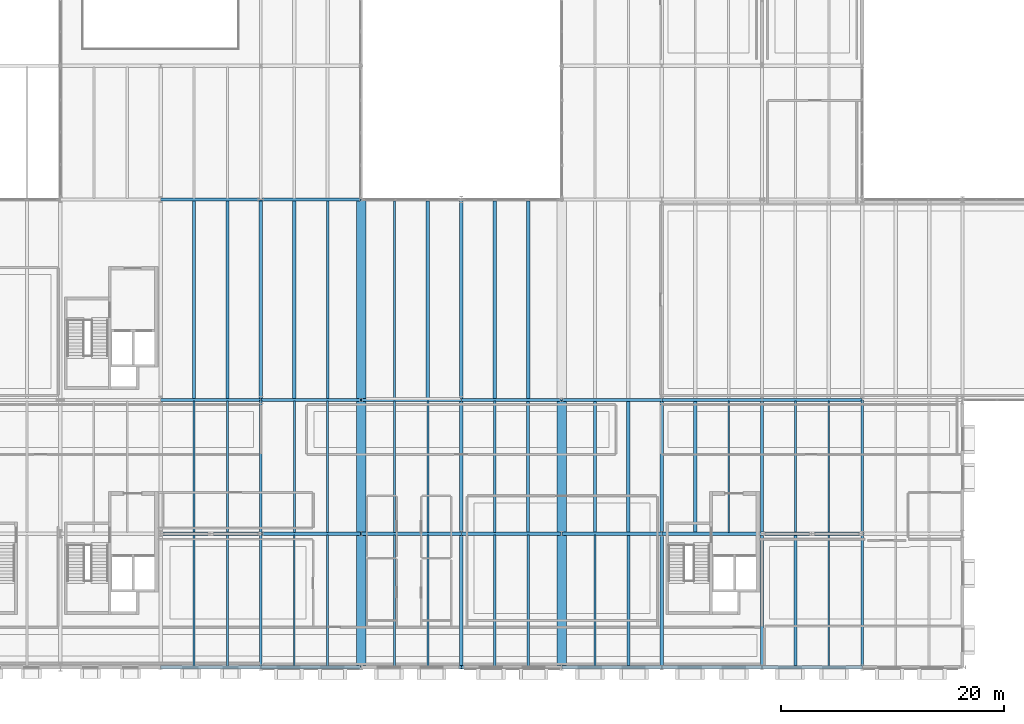
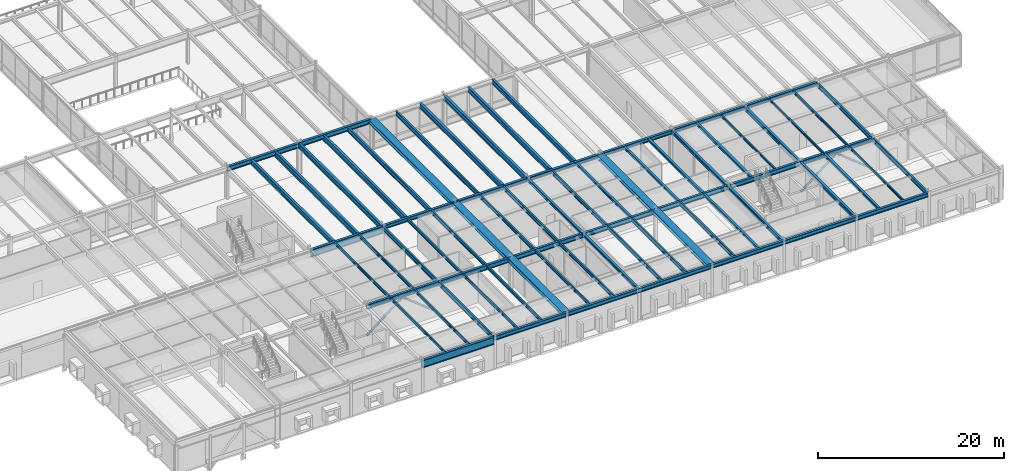
# One storey, part 34 of 127: 74 beams, 4 members.
"""IFC4 building model written with IfcOpenShell, lengths in metres."""

import ifcopenshell
import ifcopenshell.guid

model = None  # the IFC model being written
_history = None  # IfcOwnerHistory: only IFC2X3 demands one
_inside = {}  # id of a spatial element -> (the spatial element, [elements in it])
_under = {}  # id of a project, library or spatial element -> (it, [spatial elements below it])
_declared = {}  # id of a project -> (the project, [libraries it declares])
_typed = {}  # id of a type object -> (the type object, [elements of that type])
_made_of = {}  # id of a material, layer set ... -> (it, [elements and type objects made of it])


def new_model(schema):
    """Start an empty IFC model of exactly this schema.

    Asked for "IFC4X3", IfcOpenShell would pick the latest addendum, in which some entities
    have other attributes; the version numbers below select the first issue.
    IFC2X3 requires an IfcOwnerHistory on every rooted entity: one is made here for all.
    """
    global model, _history
    if schema == "IFC4X3":
        model = ifcopenshell.file(schema_version=(4, 3, 0, 0))
    else:
        model = ifcopenshell.file(schema=schema)
    _inside.clear()
    _under.clear()
    _declared.clear()
    _typed.clear()
    _made_of.clear()
    _history = None
    if model.schema == "IFC2X3":
        org = make("IfcOrganization", Name="unknown")
        user = make(
            "IfcPersonAndOrganization",
            ThePerson=make("IfcPerson", FamilyName="unknown"),
            TheOrganization=org,
        )
        app = make(
            "IfcApplication",
            ApplicationDeveloper=org,
            Version="unknown",
            ApplicationFullName="unknown",
            ApplicationIdentifier="unknown",
        )
        _history = make(
            "IfcOwnerHistory",
            OwningUser=user,
            OwningApplication=app,
            ChangeAction="ADDED",
            CreationDate=0,
        )
    return model


def make(cls, **values):
    """One entity of the class cls with the attributes given. An attribute that is None is left unset."""
    return model.create_entity(
        cls, **{name: value for name, value in values.items() if value is not None}
    )


def rooted(cls, **values):
    """An entity with a GlobalId (a new one), such as an element, a storey or a relation."""
    return make(cls, GlobalId=ifcopenshell.guid.new(), OwnerHistory=_history, **values)


def si_unit(unit_type, name, prefix=None):
    """IfcSIUnit, for example si_unit("LENGTHUNIT", "METRE", prefix="MILLI")."""
    return make("IfcSIUnit", UnitType=unit_type, Prefix=prefix, Name=name)


def assignment(units):
    """IfcUnitAssignment: the units of a project."""
    return None if units is None else make("IfcUnitAssignment", Units=units)


def point(xyz):
    """IfcCartesianPoint."""
    return None if xyz is None else make("IfcCartesianPoint", Coordinates=xyz)


def direction(xyz):
    """IfcDirection."""
    return None if xyz is None else make("IfcDirection", DirectionRatios=xyz)


def frame(location, z_axis=None, x_axis=None):
    """IfcAxis2Placement3D, a coordinate frame: its origin and axes. An axis left out is left unset."""
    return make(
        "IfcAxis2Placement3D",
        Location=point(location),
        Axis=direction(z_axis),
        RefDirection=direction(x_axis),
    )


def frame_2d(location, x_axis=None):
    """IfcAxis2Placement2D, a coordinate frame in the plane: its origin and x axis."""
    return make(
        "IfcAxis2Placement2D", Location=point(location), RefDirection=direction(x_axis)
    )


def origin():
    """The frame at (0, 0, 0) with its axes left unset."""
    return frame((0.0, 0.0, 0.0))


def origin_2d():
    """The frame at (0, 0) in the plane with its x axis left unset."""
    return frame_2d((0.0, 0.0))


def place(relative_to, where):
    """IfcLocalPlacement: puts the frame where relative to a parent placement (None: the world)."""
    return make(
        "IfcLocalPlacement", PlacementRelTo=relative_to, RelativePlacement=where
    )


def context(
    kind, dimensions, precision=None, world=None, true_north=None, identifier=None
):
    """IfcGeometricRepresentationContext, for example the 3D "Model" context."""
    return make(
        "IfcGeometricRepresentationContext",
        ContextIdentifier=identifier,
        ContextType=kind,
        CoordinateSpaceDimension=dimensions,
        Precision=precision,
        WorldCoordinateSystem=world,
        TrueNorth=true_north,
    )


def subcontext(parent, identifier, kind, view, scale=None):
    """IfcGeometricRepresentationSubContext, for example "Body" below "Model"."""
    return make(
        "IfcGeometricRepresentationSubContext",
        ContextIdentifier=identifier,
        ContextType=kind,
        ParentContext=parent,
        TargetScale=scale,
        TargetView=view,
    )


def project(units=None, contexts=None):
    """IfcProject with its units and contexts."""
    return rooted(
        "IfcProject",
        Name="project",
        RepresentationContexts=contexts,
        UnitsInContext=assignment(units),
    )


def spatial(cls, under=None, at=None, **own):
    """A site, building, storey or space (cls), placed at a placement, below another one or the project."""
    s = rooted(cls, ObjectPlacement=at, **own)
    if under is not None:
        _under.setdefault(under.id(), (under, []))[1].append(s)
    return s


def profile(cls, at=None, kind="AREA", **sizes):
    """A parametric profile (cls). Its sizes go by their IFC names, for example OverallWidth=200.0."""
    return make(cls, ProfileType=kind, Position=at, **sizes)


def hollow_circle(**sizes):
    """IfcCircleHollowProfileDef."""
    return profile("IfcCircleHollowProfileDef", **sizes)


def i_section(**sizes):
    """IfcIShapeProfileDef."""
    return profile("IfcIShapeProfileDef", **sizes)


def extrude(swept, where, along, depth):
    """IfcExtrudedAreaSolid: the profile swept, set in the frame where, extruded along a direction by depth."""
    return make(
        "IfcExtrudedAreaSolid",
        SweptArea=swept,
        Position=where,
        ExtrudedDirection=direction(along),
        Depth=depth,
    )


def shape(context_of_items, identifier, shape_type, items):
    """IfcShapeRepresentation: the items that make up one representation, for example the "Body"."""
    return make(
        "IfcShapeRepresentation",
        ContextOfItems=context_of_items,
        RepresentationIdentifier=identifier,
        RepresentationType=shape_type,
        Items=items,
    )


def material(Name=None, Category=None):
    """IfcMaterial."""
    return make("IfcMaterial", Name=Name, Category=Category)


def material_profile(
    of_material, cross_section, Name=None, Category=None, Priority=None
):
    """IfcMaterialProfile: a cross section and its material."""
    return make(
        "IfcMaterialProfile",
        Name=Name,
        Material=of_material,
        Profile=cross_section,
        Priority=Priority,
        Category=Category,
    )


def profile_set(profiles, Name=None, composite=None):
    """IfcMaterialProfileSet."""
    return make(
        "IfcMaterialProfileSet",
        Name=Name,
        MaterialProfiles=profiles,
        CompositeProfile=composite,
    )


def made_of(thing, what):
    """Note that an element or type object is made of a material, layer set ...; save() writes the relation."""
    if what is not None:
        _made_of.setdefault(what.id(), (what, []))[1].append(thing)
    return thing


def type_object(cls, material=None, **own):
    """A type object (cls), such as IfcWallType, which elements share."""
    return made_of(rooted(cls, **own), material)


def element(
    cls,
    number,
    at=None,
    inside=None,
    cuts=None,
    type_object=None,
    material=None,
    context=None,
    identifier="Body",
    shape_type=None,
    held_by="IfcProductDefinitionShape",
    body=None,
    shapes=None,
    **own,
):
    """One element of the class cls, such as IfcWall. Its Tag is "e" and its number.

    at: its placement. inside: the storey or other place that contains it. cuts: it is an
    opening in that element (IfcRelVoidsElement). A single representation is given by context,
    identifier, shape_type and body (its items); several are given by shapes. held_by: the class
    of the entity that holds the representations. save() writes the other relations.
    """
    e = rooted(cls, Tag="e%d" % number, ObjectPlacement=at, **own)
    if body is not None:
        shapes = [shape(context, identifier, shape_type, body)]
    if shapes is not None:
        e.Representation = make(held_by, Representations=shapes)
    if inside is not None:
        _inside.setdefault(inside.id(), (inside, []))[1].append(e)
    if cuts is not None:
        rooted(
            "IfcRelVoidsElement", RelatingBuildingElement=cuts, RelatedOpeningElement=e
        )
    if type_object is not None:
        _typed.setdefault(type_object.id(), (type_object, []))[1].append(e)
    return made_of(e, material)


def aggregate(whole, parts):
    """IfcRelAggregates: a whole, such as a stair, and the parts it consists of."""
    return rooted("IfcRelAggregates", RelatingObject=whole, RelatedObjects=parts)


def save(model, path):
    """Write the relations noted so far, then the file.

    IfcRelAggregates (storeys below a building ...), IfcRelContainedInSpatialStructure (elements
    in a storey), IfcRelDefinesByType, IfcRelAssociatesMaterial and IfcRelDeclares: one each for
    every whole, place, type object, material and project.
    """
    for whole, parts in _under.values():
        aggregate(whole, parts)
    for where, things in _inside.values():
        rooted(
            "IfcRelContainedInSpatialStructure",
            RelatedElements=things,
            RelatingStructure=where,
        )
    for kind, things in _typed.values():
        rooted("IfcRelDefinesByType", RelatedObjects=things, RelatingType=kind)
    for what, things in _made_of.values():
        rooted("IfcRelAssociatesMaterial", RelatedObjects=things, RelatingMaterial=what)
    for by, libraries in _declared.values():
        rooted("IfcRelDeclares", RelatingContext=by, RelatedDefinitions=libraries)
    model.write(path)


model = new_model("IFC4")

# Units and contexts
model_context = context("Model", 3, precision=1e-05, world=origin(), true_north=direction((0.0, 1.0)))
body_context = subcontext(model_context, "Body", "Model", "MODEL_VIEW")
ifc_project = project(units=[si_unit("LENGTHUNIT", "METRE"), si_unit("AREAUNIT", "SQUARE_METRE"), si_unit("VOLUMEUNIT", "CUBIC_METRE"), si_unit("PLANEANGLEUNIT", "RADIAN"), si_unit("MASSUNIT", "GRAM", prefix="KILO")], contexts=[model_context])

# Site, building, storey
site_placement = place(None, origin())
site = spatial("IfcSite", under=ifc_project, at=site_placement, CompositionType="ELEMENT")
building_placement = place(site_placement, origin())
building = spatial("IfcBuilding", under=site, at=building_placement, Name="Montelvaro Courts of Justice", CompositionType="ELEMENT")
storey_placement = place(building_placement, frame((0.0, 0.0, 5.39990234375)))
storey = spatial("IfcBuildingStorey", under=building, at=storey_placement, Name="L01", CompositionType="ELEMENT", Elevation=5.39990234375)

# Beams
ifc_material = material(Name="Steel S355", Category="steel")
ifc_material_profile_1 = material_profile(ifc_material, i_section(OverallWidth=0.280029296875, OverallDepth=0.27001953125, WebThickness=0.008056640625, FlangeThickness=0.012939453125, at=origin_2d()), Name="HEA 280")
ifc_profile_set_1 = profile_set([ifc_material_profile_1], Name="Steel S355")
beam_type_1 = type_object("IfcBeamType", Name="Beam_HEA280", PredefinedType="BEAM", material=ifc_profile_set_1)
for number, where, z_axis, x_axis, name in (
    (1, (96.0, 12.110107421875, 4.045166015625), (0.0, 1.0, 0.0), (-1.0, 0.0, 0.0), "Beam B-14 L01"),
    (2, (105.0, 0.110107421875, 4.045166015625), (0.0, 1.0, 0.0), (-1.0, 0.0, 0.0), "Beam B-14 L01"),
    (3, (102.0, 12.110107421875, 4.045166015625), (0.0, 1.0, 0.0), (-1.0, 0.0, 0.0), "Beam B-14 L01"),
):
    element("IfcBeam", number, at=place(storey_placement, frame(where, z_axis=z_axis, x_axis=x_axis)), inside=storey, type_object=beam_type_1, Name=name, PredefinedType="BEAM", context=body_context, shape_type="SweptSolid", body=[
        extrude(i_section(OverallWidth=0.280029296875, OverallDepth=0.27001953125, WebThickness=0.008056640625, FlangeThickness=0.012939453125, at=origin_2d()), origin(), (0.0, 0.0, 1.0), 11.77978515625),
    ])
ifc_material_profile_2 = material_profile(ifc_material, i_section(OverallWidth=0.300048828125, OverallDepth=0.31005859375, WebThickness=0.009033203125, FlangeThickness=0.015380859375, at=origin_2d()), Name="HEA 320")
ifc_profile_set_2 = profile_set([ifc_material_profile_2], Name="Steel S355")
beam_type_2 = type_object("IfcBeamType", Name="Beam_HEA320", PredefinedType="BEAM", material=ifc_profile_set_2)
for number, where, z_axis, x_axis, name in (
    (4, (105.0, 12.110107421875, 4.025146484375), (0.0, 1.0, 0.0), (-1.0, 0.0, 0.0), "Beam B-15 L01"),
    (5, (111.0, 12.110107421875, 4.025146484375), (0.0, 1.0, 0.0), (-1.0, 0.0, 0.0), "Beam B-15 L01"),
    (6, (120.0, 0.110107421875, 4.025146484375), (0.0, 1.0, 0.0), (-1.0, 0.0, 0.0), "Beam B-15 L01"),
):
    element("IfcBeam", number, at=place(storey_placement, frame(where, z_axis=z_axis, x_axis=x_axis)), inside=storey, type_object=beam_type_2, Name=name, PredefinedType="BEAM", context=body_context, shape_type="SweptSolid", body=[
        extrude(i_section(OverallWidth=0.300048828125, OverallDepth=0.31005859375, WebThickness=0.009033203125, FlangeThickness=0.015380859375, at=origin_2d()), origin(), (0.0, 0.0, 1.0), 11.77978515625),
    ])
ifc_material_profile_3 = material_profile(ifc_material, i_section(OverallWidth=0.300048828125, OverallDepth=0.35009765625, WebThickness=0.010009765625, FlangeThickness=0.017578125, at=origin_2d()), Name="HEA 360")
ifc_profile_set_3 = profile_set([ifc_material_profile_3], Name="Steel S355")
beam_type_3 = type_object("IfcBeamType", Name="Beam_HEA360", PredefinedType="USERDEFINED", material=ifc_profile_set_3)
for number, where, z_axis, x_axis, name in (
    (7, (90.0, 0.0, 4.005126953125), (0.0, 1.0, 0.0), (-1.0, 0.0, 0.0), "Beam B-16 L01"),
    (8, (90.0, 12.0, 4.005126953125), (0.0, 1.0, 0.0), (-1.0, 0.0, 0.0), "Beam B-16 L01"),
):
    element("IfcBeam", number, at=place(storey_placement, frame(where, z_axis=z_axis, x_axis=x_axis)), inside=storey, type_object=beam_type_3, Name=name, ObjectType="GIRDER", PredefinedType="USERDEFINED", context=body_context, shape_type="SweptSolid", body=[
        extrude(i_section(OverallWidth=0.300048828125, OverallDepth=0.35009765625, WebThickness=0.010009765625, FlangeThickness=0.017578125, at=origin_2d()), origin(), (0.0, 0.0, 1.0), 12.0),
    ])
ifc_material_profile_4 = material_profile(ifc_material, i_section(OverallWidth=0.300048828125, OverallDepth=0.43994140625, WebThickness=0.011474609375, FlangeThickness=0.02099609375, at=origin_2d()), Name="HEA 450")
ifc_profile_set_4 = profile_set([ifc_material_profile_4], Name="Steel S355")
beam_type_4 = type_object("IfcBeamType", Name="Beam_HEA450", PredefinedType="USERDEFINED", material=ifc_profile_set_4)
for number, where, z_axis, x_axis, name in (
    (9, (108.0, 0.0, 3.960205078125), (0.0, 1.0, 0.0), (-1.0, 0.0, 0.0), "Beam B-18 L01"),
    (10, (108.0, 12.0, 3.960205078125), (0.0, 1.0, 0.0), (-1.0, 0.0, 0.0), "Beam B-18 L01"),
):
    element("IfcBeam", number, at=place(storey_placement, frame(where, z_axis=z_axis, x_axis=x_axis)), inside=storey, type_object=beam_type_4, Name=name, ObjectType="GIRDER", PredefinedType="USERDEFINED", context=body_context, shape_type="SweptSolid", body=[
        extrude(i_section(OverallWidth=0.300048828125, OverallDepth=0.43994140625, WebThickness=0.011474609375, FlangeThickness=0.02099609375, at=origin_2d()), origin(), (0.0, 0.0, 1.0), 12.0),
    ])
ifc_material_profile_5 = material_profile(ifc_material, i_section(OverallWidth=0.300048828125, OverallDepth=0.489990234375, WebThickness=0.011962890625, FlangeThickness=0.02294921875, at=origin_2d()), Name="HEA 500")
ifc_profile_set_5 = profile_set([ifc_material_profile_5], Name="Steel S355")
beam_type_5 = type_object("IfcBeamType", Name="Beam_HEA500", PredefinedType="USERDEFINED", material=ifc_profile_set_5)
for number, where, z_axis, x_axis, name in (
    (11, (117.0, 0.0, 3.93505859375), (0.0, 1.0, 0.0), (-1.0, 0.0, 0.0), "Beam B-19 L01"),
    (12, (117.0, 12.0, 3.93505859375), (0.0, 1.0, 0.0), (-1.0, 0.0, 0.0), "Beam B-19 L01"),
):
    element("IfcBeam", number, at=place(storey_placement, frame(where, z_axis=z_axis, x_axis=x_axis)), inside=storey, type_object=beam_type_5, Name=name, ObjectType="GIRDER", PredefinedType="USERDEFINED", context=body_context, shape_type="SweptSolid", body=[
        extrude(i_section(OverallWidth=0.300048828125, OverallDepth=0.489990234375, WebThickness=0.011962890625, FlangeThickness=0.02294921875, at=origin_2d()), origin(), (0.0, 0.0, 1.0), 12.0),
    ])
ifc_material_profile_6 = material_profile(ifc_material, i_section(OverallWidth=0.300048828125, OverallDepth=0.5400390625, WebThickness=0.012451171875, FlangeThickness=0.02392578125, at=origin_2d()), Name="HEA 550")
ifc_profile_set_6 = profile_set([ifc_material_profile_6], Name="Steel S355")
beam_type_6 = type_object("IfcBeamType", Name="Beam_HEA550", PredefinedType="USERDEFINED", material=ifc_profile_set_6)
for number, where, z_axis, x_axis, name in (
    (13, (72.0, 0.0, 3.91015625), (1.0, 0.0, 0.0), (0.0, 1.0, 0.0), "Beam B-20 L01"),
    (14, (81.050048828125, 0.0, 3.91015625), (1.0, 0.0, 0.0), (0.0, 1.0, 0.0), "Beam B-20 L01"),
    (15, (90.0, 0.0, 3.91015625), (1.0, 0.0, 0.0), (0.0, 1.0, 0.0), "Beam B-20 L01"),
    (16, (99.050048828125, 0.0, 3.91015625), (1.0, 0.0, 0.0), (0.0, 1.0, 0.0), "Beam B-20 L01"),
):
    element("IfcBeam", number, at=place(storey_placement, frame(where, z_axis=z_axis, x_axis=x_axis)), inside=storey, type_object=beam_type_6, Name=name, ObjectType="GIRDER", PredefinedType="USERDEFINED", context=body_context, shape_type="SweptSolid", body=[
        extrude(i_section(OverallWidth=0.300048828125, OverallDepth=0.5400390625, WebThickness=0.012451171875, FlangeThickness=0.02392578125, at=origin_2d()), origin(), (0.0, 0.0, 1.0), 8.949951171875),
    ])
for number, where, z_axis, x_axis, name in (
    (17, (108.0, 0.0, 3.91015625), (1.0, 0.0, 0.0), (0.0, 1.0, 0.0), "Beam B-20 L01"),
    (18, (117.0, 0.0, 3.91015625), (1.0, 0.0, 0.0), (0.0, 1.0, 0.0), "Beam B-20 L01"),
):
    element("IfcBeam", number, at=place(storey_placement, frame(where, z_axis=z_axis, x_axis=x_axis)), inside=storey, type_object=beam_type_6, Name=name, ObjectType="GIRDER", PredefinedType="USERDEFINED", context=body_context, shape_type="SweptSolid", body=[
        extrude(i_section(OverallWidth=0.300048828125, OverallDepth=0.5400390625, WebThickness=0.012451171875, FlangeThickness=0.02392578125, at=origin_2d()), origin(), (0.0, 0.0, 1.0), 9.0),
    ])
ifc_material_profile_7 = material_profile(ifc_material, i_section(OverallWidth=0.300048828125, OverallDepth=0.590087890625, WebThickness=0.012939453125, FlangeThickness=0.02490234375, at=origin_2d()), Name="HEA 600")
ifc_profile_set_7 = profile_set([ifc_material_profile_7], Name="Steel S355")
beam_type_7 = type_object("IfcBeamType", Name="Beam_HEA600", PredefinedType="USERDEFINED", material=ifc_profile_set_7)
beam_1_placement = place(storey_placement, frame((63.0, 12.0, 3.885009765625), z_axis=(1.0, 0.0, 0.0), x_axis=(0.0, 1.0, 0.0)))
element("IfcBeam", 19, at=beam_1_placement, inside=storey, type_object=beam_type_7, Name="Beam B-21 L01", ObjectType="GIRDER", PredefinedType="USERDEFINED", context=body_context, shape_type="SweptSolid", body=[
    extrude(i_section(OverallWidth=0.300048828125, OverallDepth=0.590087890625, WebThickness=0.012939453125, FlangeThickness=0.02490234375, at=origin_2d()), origin(), (0.0, 0.0, 1.0), 9.0),
])
for number, where, z_axis, x_axis, name in (
    (20, (72.0, 12.0, 3.885009765625), (1.0, 0.0, 0.0), (0.0, 1.0, 0.0), "Beam B-21 L01"),
    (21, (81.050048828125, 12.0, 3.885009765625), (1.0, 0.0, 0.0), (0.0, 1.0, 0.0), "Beam B-21 L01"),
    (22, (90.0, 12.0, 3.885009765625), (1.0, 0.0, 0.0), (0.0, 1.0, 0.0), "Beam B-21 L01"),
    (23, (99.050048828125, 12.0, 3.885009765625), (1.0, 0.0, 0.0), (0.0, 1.0, 0.0), "Beam B-21 L01"),
):
    element("IfcBeam", number, at=place(storey_placement, frame(where, z_axis=z_axis, x_axis=x_axis)), inside=storey, type_object=beam_type_7, Name=name, ObjectType="GIRDER", PredefinedType="USERDEFINED", context=body_context, shape_type="SweptSolid", body=[
        extrude(i_section(OverallWidth=0.300048828125, OverallDepth=0.590087890625, WebThickness=0.012939453125, FlangeThickness=0.02490234375, at=origin_2d()), origin(), (0.0, 0.0, 1.0), 8.949951171875),
    ])
for number, where, z_axis, x_axis, name in (
    (24, (108.0, 12.0, 3.885009765625), (1.0, 0.0, 0.0), (0.0, 1.0, 0.0), "Beam B-21 L01"),
    (25, (117.0, 12.0, 3.885009765625), (1.0, 0.0, 0.0), (0.0, 1.0, 0.0), "Beam B-21 L01"),
):
    element("IfcBeam", number, at=place(storey_placement, frame(where, z_axis=z_axis, x_axis=x_axis)), inside=storey, type_object=beam_type_7, Name=name, ObjectType="GIRDER", PredefinedType="USERDEFINED", context=body_context, shape_type="SweptSolid", body=[
        extrude(i_section(OverallWidth=0.300048828125, OverallDepth=0.590087890625, WebThickness=0.012939453125, FlangeThickness=0.02490234375, at=origin_2d()), origin(), (0.0, 0.0, 1.0), 9.0),
    ])
ifc_material_profile_8 = material_profile(ifc_material, i_section(OverallWidth=0.300048828125, OverallDepth=0.639892578125, WebThickness=0.013427734375, FlangeThickness=0.02587890625, at=origin_2d()), Name="HEA 650")
ifc_profile_set_8 = profile_set([ifc_material_profile_8], Name="Steel S355")
beam_type_8 = type_object("IfcBeamType", Name="Beam_HEA650", PredefinedType="USERDEFINED", material=ifc_profile_set_8)
for number, where, z_axis, x_axis, name in (
    (26, (66.0, 24.110107421875, 3.840087890625), (0.0, 1.0, 0.0), (-1.0, 0.0, 0.0), "Beam B-22 L01"),
    (27, (96.0, 24.110107421875, 3.920166015625), (0.0, 1.0, 0.0), (-1.0, 0.0, 0.0), "Beam B-22 L01"),
):
    element("IfcBeam", number, at=place(storey_placement, frame(where, z_axis=z_axis, x_axis=x_axis)), inside=storey, type_object=beam_type_8, Name=name, ObjectType="GIRDER", PredefinedType="USERDEFINED", context=body_context, shape_type="SweptSolid", body=[
        extrude(i_section(OverallWidth=0.300048828125, OverallDepth=0.639892578125, WebThickness=0.013427734375, FlangeThickness=0.02587890625, at=origin_2d()), origin(), (0.0, 0.0, 1.0), 17.77978515625),
    ])
ifc_material_profile_9 = material_profile(ifc_material, i_section(OverallWidth=0.300048828125, OverallDepth=0.68994140625, WebThickness=0.014404296875, FlangeThickness=0.027099609375, at=origin_2d()), Name="HEA 700")
ifc_profile_set_9 = profile_set([ifc_material_profile_9], Name="Steel S355")
beam_type_9 = type_object("IfcBeamType", Name="Beam_HEA700", PredefinedType="USERDEFINED", material=ifc_profile_set_9)
beam_2_placement = place(storey_placement, frame((90.0, 24.0, 3.89501953125), z_axis=(0.0, 1.0, 0.0), x_axis=(-1.0, 0.0, 0.0)))
element("IfcBeam", 28, at=beam_2_placement, inside=storey, type_object=beam_type_9, Name="Beam B-23 L01", ObjectType="GIRDER", PredefinedType="USERDEFINED", context=body_context, shape_type="SweptSolid", body=[
    extrude(i_section(OverallWidth=0.300048828125, OverallDepth=0.68994140625, WebThickness=0.014404296875, FlangeThickness=0.027099609375, at=origin_2d()), origin(), (0.0, 0.0, 1.0), 18.0),
])
for number, where, z_axis, x_axis, name in (
    (29, (69.0, 24.110107421875, 3.815185546875), (0.0, 1.0, 0.0), (-1.0, 0.0, 0.0), "Beam B-23 L01"),
    (30, (75.0, 24.110107421875, 3.875), (0.0, 1.0, 0.0), (-1.0, 0.0, 0.0), "Beam B-23 L01"),
):
    element("IfcBeam", number, at=place(storey_placement, frame(where, z_axis=z_axis, x_axis=x_axis)), inside=storey, type_object=beam_type_9, Name=name, ObjectType="GIRDER", PredefinedType="USERDEFINED", context=body_context, shape_type="SweptSolid", body=[
        extrude(i_section(OverallWidth=0.300048828125, OverallDepth=0.68994140625, WebThickness=0.014404296875, FlangeThickness=0.027099609375, at=origin_2d()), origin(), (0.0, 0.0, 1.0), 17.77978515625),
    ])
ifc_material_profile_10 = material_profile(ifc_material, i_section(OverallWidth=0.300048828125, OverallDepth=0.5, WebThickness=0.014404296875, FlangeThickness=0.028076171875, at=origin_2d()), Name="HEB 500")
ifc_profile_set_10 = profile_set([ifc_material_profile_10], Name="Steel S355")
beam_type_10 = type_object("IfcBeamType", Name="Beam_HEB500", PredefinedType="USERDEFINED", material=ifc_profile_set_10)
for number, where, z_axis, x_axis, name in (
    (31, (72.0, 24.0, 3.93017578125), (1.0, 0.0, 0.0), (0.0, 1.0, 0.0), "Beam B-25 L01"),
    (32, (81.050048828125, 24.0, 3.93017578125), (1.0, 0.0, 0.0), (0.0, 1.0, 0.0), "Beam B-25 L01"),
    (33, (90.0, 24.0, 3.93017578125), (1.0, 0.0, 0.0), (0.0, 1.0, 0.0), "Beam B-25 L01"),
    (34, (99.050048828125, 24.0, 3.93017578125), (1.0, 0.0, 0.0), (0.0, 1.0, 0.0), "Beam B-25 L01"),
):
    element("IfcBeam", number, at=place(storey_placement, frame(where, z_axis=z_axis, x_axis=x_axis)), inside=storey, type_object=beam_type_10, Name=name, ObjectType="GIRDER", PredefinedType="USERDEFINED", context=body_context, shape_type="SweptSolid", body=[
        extrude(i_section(OverallWidth=0.300048828125, OverallDepth=0.5, WebThickness=0.014404296875, FlangeThickness=0.028076171875, at=origin_2d()), origin(), (0.0, 0.0, 1.0), 8.949951171875),
    ])
for number, where, z_axis, x_axis, name in (
    (35, (108.0, 24.0, 3.93017578125), (1.0, 0.0, 0.0), (0.0, 1.0, 0.0), "Beam B-25 L01"),
    (36, (117.0, 24.0, 3.93017578125), (1.0, 0.0, 0.0), (0.0, 1.0, 0.0), "Beam B-25 L01"),
):
    element("IfcBeam", number, at=place(storey_placement, frame(where, z_axis=z_axis, x_axis=x_axis)), inside=storey, type_object=beam_type_10, Name=name, ObjectType="GIRDER", PredefinedType="USERDEFINED", context=body_context, shape_type="SweptSolid", body=[
        extrude(i_section(OverallWidth=0.300048828125, OverallDepth=0.5, WebThickness=0.014404296875, FlangeThickness=0.028076171875, at=origin_2d()), origin(), (0.0, 0.0, 1.0), 9.0),
    ])
ifc_material_profile_11 = material_profile(ifc_material, i_section(OverallWidth=0.300048828125, OverallDepth=0.60009765625, WebThickness=0.015380859375, FlangeThickness=0.030029296875, at=origin_2d()), Name="HEB 600")
ifc_profile_set_11 = profile_set([ifc_material_profile_11], Name="Steel S355")
beam_type_11 = type_object("IfcBeamType", Name="Beam_HEB600", PredefinedType="USERDEFINED", material=ifc_profile_set_11)
beam_3_placement = place(storey_placement, frame((63.0, 42.0, 3.860107421875), z_axis=(1.0, 0.0, 0.0), x_axis=(0.0, 1.0, 0.0)))
element("IfcBeam", 37, at=beam_3_placement, inside=storey, type_object=beam_type_11, Name="Beam B-26 L01", ObjectType="GIRDER", PredefinedType="USERDEFINED", context=body_context, shape_type="SweptSolid", body=[
    extrude(i_section(OverallWidth=0.300048828125, OverallDepth=0.60009765625, WebThickness=0.015380859375, FlangeThickness=0.030029296875, at=origin_2d()), origin(), (0.0, 0.0, 1.0), 9.0),
])
beam_4_placement = place(storey_placement, frame((72.0, 42.0, 3.920166015625), z_axis=(1.0, 0.0, 0.0), x_axis=(0.0, 1.0, 0.0)))
element("IfcBeam", 38, at=beam_4_placement, inside=storey, type_object=beam_type_11, Name="Beam B-26 L01", ObjectType="GIRDER", PredefinedType="USERDEFINED", context=body_context, shape_type="SweptSolid", body=[
    extrude(i_section(OverallWidth=0.300048828125, OverallDepth=0.60009765625, WebThickness=0.015380859375, FlangeThickness=0.030029296875, at=origin_2d()), origin(), (0.0, 0.0, 1.0), 8.949951171875),
])
ifc_material_profile_12 = material_profile(ifc_material, i_section(OverallWidth=0.300048828125, OverallDepth=0.64990234375, WebThickness=0.01611328125, FlangeThickness=0.031005859375, at=origin_2d()), Name="HEB 650")
ifc_profile_set_12 = profile_set([ifc_material_profile_12], Name="Steel S355")
beam_type_12 = type_object("IfcBeamType", Name="Beam_HEB650", PredefinedType="USERDEFINED", material=ifc_profile_set_12)
beam_5_placement = place(storey_placement, frame((72.0, 24.0, 3.835205078125), z_axis=(0.0, 1.0, 0.0), x_axis=(-1.0, 0.0, 0.0)))
element("IfcBeam", 39, at=beam_5_placement, inside=storey, type_object=beam_type_12, Name="Beam B-27 L01", ObjectType="GIRDER", PredefinedType="USERDEFINED", context=body_context, shape_type="SweptSolid", body=[
    extrude(i_section(OverallWidth=0.300048828125, OverallDepth=0.64990234375, WebThickness=0.01611328125, FlangeThickness=0.031005859375, at=origin_2d()), origin(), (0.0, 0.0, 1.0), 18.0),
])
for number, where, z_axis, x_axis, name in (
    (40, (87.0, 24.110107421875, 3.9150390625), (0.0, 1.0, 0.0), (-1.0, 0.0, 0.0), "Beam B-27 L01"),
    (41, (93.0, 24.110107421875, 3.9150390625), (0.0, 1.0, 0.0), (-1.0, 0.0, 0.0), "Beam B-27 L01"),
):
    element("IfcBeam", number, at=place(storey_placement, frame(where, z_axis=z_axis, x_axis=x_axis)), inside=storey, type_object=beam_type_12, Name=name, ObjectType="GIRDER", PredefinedType="USERDEFINED", context=body_context, shape_type="SweptSolid", body=[
        extrude(i_section(OverallWidth=0.300048828125, OverallDepth=0.64990234375, WebThickness=0.01611328125, FlangeThickness=0.031005859375, at=origin_2d()), origin(), (0.0, 0.0, 1.0), 17.77978515625),
    ])
ifc_material_profile_13 = material_profile(ifc_material, i_section(OverallWidth=0.302001953125, OverallDepth=1.008056640625, WebThickness=0.02099609375, FlangeThickness=0.0400390625, at=origin_2d()), Name="HEM 1000")
ifc_profile_set_13 = profile_set([ifc_material_profile_13], Name="Steel S355")
beam_type_13 = type_object("IfcBeamType", Name="Beam_HEM1000", PredefinedType="USERDEFINED", material=ifc_profile_set_13)
for number, where, z_axis, x_axis, name in (
    (42, (72.0, 0.0, 3.656005859375), (-1.0, 0.0, 0.0), (0.0, -1.0, 0.0), "Pratt Cantilever Truss Chord CTR-BAR1-S-L02-BS1"),
    (43, (72.0, 24.0, 3.656005859375), (-1.0, 0.0, 0.0), (0.0, -1.0, 0.0), "Pratt Cantilever Truss Chord CTR-BAR1-N-L02-BS1"),
):
    element("IfcBeam", number, at=place(storey_placement, frame(where, z_axis=z_axis, x_axis=x_axis)), inside=storey, type_object=beam_type_13, Name=name, ObjectType="GIRDER", PredefinedType="USERDEFINED", context=body_context, shape_type="SweptSolid", body=[
        extrude(i_section(OverallWidth=0.302001953125, OverallDepth=1.008056640625, WebThickness=0.02099609375, FlangeThickness=0.0400390625, at=origin_2d()), origin(), (0.0, 0.0, 1.0), 9.0),
    ])
ifc_material_profile_14 = material_profile(ifc_material, i_section(OverallWidth=0.14990234375, OverallDepth=0.300048828125, WebThickness=0.007080078125, FlangeThickness=0.0107421875, at=origin_2d()), Name="IPE 300")
ifc_profile_set_14 = profile_set([ifc_material_profile_14], Name="Steel S355")
beam_type_14 = type_object("IfcBeamType", Name="Beam_IPE300", PredefinedType="BEAM", material=ifc_profile_set_14)
for number, where, z_axis, x_axis, name in (
    (44, (114.0, 12.110107421875, 4.030029296875), (0.0, 1.0, 0.0), (-1.0, 0.0, 0.0), "Beam B-05 L01"),
    (45, (123.0, 0.110107421875, 4.030029296875), (0.0, 1.0, 0.0), (-1.0, 0.0, 0.0), "Beam B-05 L01"),
    (46, (120.0, 12.110107421875, 4.030029296875), (0.0, 1.0, 0.0), (-1.0, 0.0, 0.0), "Beam B-05 L01"),
):
    element("IfcBeam", number, at=place(storey_placement, frame(where, z_axis=z_axis, x_axis=x_axis)), inside=storey, type_object=beam_type_14, Name=name, PredefinedType="BEAM", context=body_context, shape_type="SweptSolid", body=[
        extrude(i_section(OverallWidth=0.14990234375, OverallDepth=0.300048828125, WebThickness=0.007080078125, FlangeThickness=0.0107421875, at=origin_2d()), origin(), (0.0, 0.0, 1.0), 11.77978515625),
    ])
ifc_material_profile_15 = material_profile(ifc_material, i_section(OverallWidth=0.159912109375, OverallDepth=0.330078125, WebThickness=0.007568359375, FlangeThickness=0.011474609375, at=origin_2d()), Name="IPE 330")
ifc_profile_set_15 = profile_set([ifc_material_profile_15], Name="Steel S355")
beam_type_15 = type_object("IfcBeamType", Name="Beam_IPE330", PredefinedType="BEAM", material=ifc_profile_set_15)
for number, where, z_axis, x_axis, name in (
    (47, (66.0, 0.110107421875, 4.01513671875), (0.0, 1.0, 0.0), (-1.0, 0.0, 0.0), "Beam B-06 L01"),
    (48, (123.0, 12.110107421875, 4.01513671875), (0.0, 1.0, 0.0), (-1.0, 0.0, 0.0), "Beam B-06 L01"),
):
    element("IfcBeam", number, at=place(storey_placement, frame(where, z_axis=z_axis, x_axis=x_axis)), inside=storey, type_object=beam_type_15, Name=name, PredefinedType="BEAM", context=body_context, shape_type="SweptSolid", body=[
        extrude(i_section(OverallWidth=0.159912109375, OverallDepth=0.330078125, WebThickness=0.007568359375, FlangeThickness=0.011474609375, at=origin_2d()), origin(), (0.0, 0.0, 1.0), 11.77978515625),
    ])
ifc_material_profile_16 = material_profile(ifc_material, i_section(OverallWidth=0.169921875, OverallDepth=0.360107421875, WebThickness=0.008056640625, FlangeThickness=0.0126953125, at=origin_2d()), Name="IPE 360")
ifc_profile_set_16 = profile_set([ifc_material_profile_16], Name="Steel S355")
beam_type_16 = type_object("IfcBeamType", Name="Beam_IPE360", PredefinedType="BEAM", material=ifc_profile_set_16)
for number, where, z_axis, x_axis, name in (
    (49, (69.0, 0.110107421875, 4.0), (0.0, 1.0, 0.0), (-1.0, 0.0, 0.0), "Beam B-07 L01"),
    (50, (66.0, 12.110107421875, 4.0), (0.0, 1.0, 0.0), (-1.0, 0.0, 0.0), "Beam B-07 L01"),
    (51, (75.0, 0.110107421875, 4.0), (0.0, 1.0, 0.0), (-1.0, 0.0, 0.0), "Beam B-07 L01"),
):
    element("IfcBeam", number, at=place(storey_placement, frame(where, z_axis=z_axis, x_axis=x_axis)), inside=storey, type_object=beam_type_16, Name=name, PredefinedType="BEAM", context=body_context, shape_type="SweptSolid", body=[
        extrude(i_section(OverallWidth=0.169921875, OverallDepth=0.360107421875, WebThickness=0.008056640625, FlangeThickness=0.0126953125, at=origin_2d()), origin(), (0.0, 0.0, 1.0), 11.77978515625),
    ])
ifc_material_profile_17 = material_profile(ifc_material, i_section(OverallWidth=0.179931640625, OverallDepth=0.39990234375, WebThickness=0.008544921875, FlangeThickness=0.013427734375, at=origin_2d()), Name="IPE 400")
ifc_profile_set_17 = profile_set([ifc_material_profile_17], Name="Steel S355")
beam_type_17 = type_object("IfcBeamType", Name="Beam_IPE400", PredefinedType="BEAM", material=ifc_profile_set_17)
for number, where, z_axis, x_axis, name in (
    (52, (69.0, 12.110107421875, 3.97998046875), (0.0, 1.0, 0.0), (-1.0, 0.0, 0.0), "Beam B-08 L01"),
    (53, (78.0, 0.110107421875, 3.97998046875), (0.0, 1.0, 0.0), (-1.0, 0.0, 0.0), "Beam B-08 L01"),
    (54, (75.0, 12.110107421875, 3.97998046875), (0.0, 1.0, 0.0), (-1.0, 0.0, 0.0), "Beam B-08 L01"),
    (55, (84.0, 0.110107421875, 3.97998046875), (0.0, 1.0, 0.0), (-1.0, 0.0, 0.0), "Beam B-08 L01"),
):
    element("IfcBeam", number, at=place(storey_placement, frame(where, z_axis=z_axis, x_axis=x_axis)), inside=storey, type_object=beam_type_17, Name=name, PredefinedType="BEAM", context=body_context, shape_type="SweptSolid", body=[
        extrude(i_section(OverallWidth=0.179931640625, OverallDepth=0.39990234375, WebThickness=0.008544921875, FlangeThickness=0.013427734375, at=origin_2d()), origin(), (0.0, 0.0, 1.0), 11.77978515625),
    ])
ifc_material_profile_18 = material_profile(ifc_material, i_section(OverallWidth=0.18994140625, OverallDepth=0.449951171875, WebThickness=0.009521484375, FlangeThickness=0.0146484375, at=origin_2d()), Name="IPE 450")
ifc_profile_set_18 = profile_set([ifc_material_profile_18], Name="Steel S355")
beam_type_18 = type_object("IfcBeamType", Name="Beam_IPE450", PredefinedType="BEAM", material=ifc_profile_set_18)
for number, where, z_axis, x_axis, name in (
    (56, (78.0, 12.110107421875, 3.955078125), (0.0, 1.0, 0.0), (-1.0, 0.0, 0.0), "Beam B-09 L01"),
    (57, (87.0, 0.110107421875, 3.955078125), (0.0, 1.0, 0.0), (-1.0, 0.0, 0.0), "Beam B-09 L01"),
    (58, (84.0, 12.110107421875, 3.955078125), (0.0, 1.0, 0.0), (-1.0, 0.0, 0.0), "Beam B-09 L01"),
    (59, (93.0, 0.110107421875, 3.955078125), (0.0, 1.0, 0.0), (-1.0, 0.0, 0.0), "Beam B-09 L01"),
):
    element("IfcBeam", number, at=place(storey_placement, frame(where, z_axis=z_axis, x_axis=x_axis)), inside=storey, type_object=beam_type_18, Name=name, PredefinedType="BEAM", context=body_context, shape_type="SweptSolid", body=[
        extrude(i_section(OverallWidth=0.18994140625, OverallDepth=0.449951171875, WebThickness=0.009521484375, FlangeThickness=0.0146484375, at=origin_2d()), origin(), (0.0, 0.0, 1.0), 11.77978515625),
    ])
ifc_material_profile_19 = material_profile(ifc_material, i_section(OverallWidth=0.199951171875, OverallDepth=0.5, WebThickness=0.01025390625, FlangeThickness=0.01611328125, at=origin_2d()), Name="IPE 500")
ifc_profile_set_19 = profile_set([ifc_material_profile_19], Name="Steel S355")
beam_type_19 = type_object("IfcBeamType", Name="Beam_IPE500", PredefinedType="BEAM", material=ifc_profile_set_19)
for number, where, z_axis, x_axis, name in (
    (60, (87.0, 12.110107421875, 3.93017578125), (0.0, 1.0, 0.0), (-1.0, 0.0, 0.0), "Beam B-10 L01"),
    (61, (96.0, 0.110107421875, 3.93017578125), (0.0, 1.0, 0.0), (-1.0, 0.0, 0.0), "Beam B-10 L01"),
    (62, (93.0, 12.110107421875, 3.93017578125), (0.0, 1.0, 0.0), (-1.0, 0.0, 0.0), "Beam B-10 L01"),
    (63, (102.0, 0.110107421875, 3.93017578125), (0.0, 1.0, 0.0), (-1.0, 0.0, 0.0), "Beam B-10 L01"),
):
    element("IfcBeam", number, at=place(storey_placement, frame(where, z_axis=z_axis, x_axis=x_axis)), inside=storey, type_object=beam_type_19, Name=name, PredefinedType="BEAM", context=body_context, shape_type="SweptSolid", body=[
        extrude(i_section(OverallWidth=0.199951171875, OverallDepth=0.5, WebThickness=0.01025390625, FlangeThickness=0.01611328125, at=origin_2d()), origin(), (0.0, 0.0, 1.0), 11.77978515625),
    ])
ifc_material_profile_20 = material_profile(ifc_material, i_section(OverallWidth=0.2099609375, OverallDepth=0.550048828125, WebThickness=0.010986328125, FlangeThickness=0.01708984375, at=origin_2d()), Name="IPE 550")
ifc_profile_set_20 = profile_set([ifc_material_profile_20], Name="Steel S355")
beam_type_20 = type_object("IfcBeamType", Name="Beam_IPE550", PredefinedType="BEAM", material=ifc_profile_set_20)
for number, where, z_axis, x_axis, name in (
    (64, (72.0, 0.0, 3.905029296875), (0.0, 1.0, 0.0), (-1.0, 0.0, 0.0), "Beam B-11 L01"),
    (65, (72.0, 12.0, 3.905029296875), (0.0, 1.0, 0.0), (-1.0, 0.0, 0.0), "Beam B-11 L01"),
    (66, (126.0, 0.0, 3.905029296875), (0.0, 1.0, 0.0), (-1.0, 0.0, 0.0), "Beam B-11 L01"),
    (67, (126.0, 12.0, 3.905029296875), (0.0, 1.0, 0.0), (-1.0, 0.0, 0.0), "Beam B-11 L01"),
):
    element("IfcBeam", number, at=place(storey_placement, frame(where, z_axis=z_axis, x_axis=x_axis)), inside=storey, type_object=beam_type_20, Name=name, PredefinedType="BEAM", context=body_context, shape_type="SweptSolid", body=[
        extrude(i_section(OverallWidth=0.2099609375, OverallDepth=0.550048828125, WebThickness=0.010986328125, FlangeThickness=0.01708984375, at=origin_2d()), origin(), (0.0, 0.0, 1.0), 12.0),
    ])
ifc_material_profile_21 = material_profile(ifc_material, i_section(OverallWidth=0.219970703125, OverallDepth=0.60009765625, WebThickness=0.011962890625, FlangeThickness=0.01904296875, at=origin_2d()), Name="IPE 600")
ifc_profile_set_21 = profile_set([ifc_material_profile_21], Name="Steel S355")
beam_type_21 = type_object("IfcBeamType", Name="Beam_IPE600", PredefinedType="USERDEFINED", material=ifc_profile_set_21)
for number, where, z_axis, x_axis, name in (
    (68, (78.0, 24.110107421875, 3.920166015625), (0.0, 1.0, 0.0), (-1.0, 0.0, 0.0), "Beam B-12 L01"),
    (69, (84.0, 24.110107421875, 3.940185546875), (0.0, 1.0, 0.0), (-1.0, 0.0, 0.0), "Beam B-12 L01"),
):
    element("IfcBeam", number, at=place(storey_placement, frame(where, z_axis=z_axis, x_axis=x_axis)), inside=storey, type_object=beam_type_21, Name=name, ObjectType="GIRDER", PredefinedType="USERDEFINED", context=body_context, shape_type="SweptSolid", body=[
        extrude(i_section(OverallWidth=0.219970703125, OverallDepth=0.60009765625, WebThickness=0.011962890625, FlangeThickness=0.01904296875, at=origin_2d()), origin(), (0.0, 0.0, 1.0), 17.77978515625),
    ])
ifc_material_profile_22 = material_profile(ifc_material, i_section(OverallWidth=0.860107421875, OverallDepth=0.47998046875, WebThickness=0.02001953125, FlangeThickness=0.031982421875, at=origin_2d()), Name="HL 480x860")
ifc_profile_set_22 = profile_set([ifc_material_profile_22], Name="Steel S355")
beam_type_22 = type_object("IfcBeamType", Name="Beam_MJSeat_860", PredefinedType="USERDEFINED", material=ifc_profile_set_22)
for number, where, z_axis, x_axis, name in (
    (70, (81.0, 0.0, 3.940185546875), (0.0, 1.0, 0.0), (-1.0, 0.0, 0.0), "Beam BC-01 L01"),
    (71, (81.0, 12.0, 3.940185546875), (0.0, 1.0, 0.0), (-1.0, 0.0, 0.0), "Beam BC-01 L01"),
):
    element("IfcBeam", number, at=place(storey_placement, frame(where, z_axis=z_axis, x_axis=x_axis)), inside=storey, type_object=beam_type_22, Name=name, ObjectType="GIRDER", PredefinedType="USERDEFINED", context=body_context, shape_type="SweptSolid", body=[
        extrude(i_section(OverallWidth=0.860107421875, OverallDepth=0.47998046875, WebThickness=0.02001953125, FlangeThickness=0.031982421875, at=origin_2d()), origin(), (0.0, 0.0, 1.0), 12.0),
    ])
beam_6_placement = place(storey_placement, frame((81.0, 24.0, 3.97998046875), z_axis=(0.0, 1.0, 0.0), x_axis=(-1.0, 0.0, 0.0)))
element("IfcBeam", 72, at=beam_6_placement, inside=storey, type_object=beam_type_22, Name="Beam BC-01 L01", ObjectType="GIRDER", PredefinedType="USERDEFINED", context=body_context, shape_type="SweptSolid", body=[
    extrude(i_section(OverallWidth=0.860107421875, OverallDepth=0.47998046875, WebThickness=0.02001953125, FlangeThickness=0.031982421875, at=origin_2d()), origin(), (0.0, 0.0, 1.0), 18.0),
])
for number, where, z_axis, x_axis, name in (
    (73, (99.0, 0.0, 3.940185546875), (0.0, 1.0, 0.0), (-1.0, 0.0, 0.0), "Beam BC-01 L01"),
    (74, (99.0, 12.0, 3.940185546875), (0.0, 1.0, 0.0), (-1.0, 0.0, 0.0), "Beam BC-01 L01"),
):
    element("IfcBeam", number, at=place(storey_placement, frame(where, z_axis=z_axis, x_axis=x_axis)), inside=storey, type_object=beam_type_22, Name=name, ObjectType="GIRDER", PredefinedType="USERDEFINED", context=body_context, shape_type="SweptSolid", body=[
        extrude(i_section(OverallWidth=0.860107421875, OverallDepth=0.47998046875, WebThickness=0.02001953125, FlangeThickness=0.031982421875, at=origin_2d()), origin(), (0.0, 0.0, 1.0), 12.0),
    ])

# Members
ifc_material_profile_23 = material_profile(ifc_material, hollow_circle(Radius=0.136474609375, WallThickness=0.012451171875, at=origin_2d()), Name="CHS 273x12.5")
ifc_profile_set_23 = profile_set([ifc_material_profile_23], Name="Steel S355")
member_type = type_object("IfcMemberType", Name="Mem_CHS273_Brace", PredefinedType="BRACE", material=ifc_profile_set_23)
for number, where, z_axis, x_axis, name in (
    (75, (63.080078125, 12.0, 0.080078125), (0.781378054397, 0.0, 0.624057958933), (0.0, 1.0, 0.0), "Lateral Braced Frame CBF1 Diagonal 1 (L01)"),
    (76, (71.919921875, 12.0, 0.080078125), (-0.781378054397, 0.0, 0.624057958933), (0.0, -1.0, 0.0), "Lateral Braced Frame CBF1 Diagonal 2 (L01)"),
    (77, (117.080078125, 12.0, 0.080078125), (0.781378054397, 0.0, 0.624057958933), (0.0, 1.0, 0.0), "Lateral Braced Frame CBF2 Diagonal 1 (L01)"),
    (78, (125.919921875, 12.0, 0.080078125), (-0.781378054397, 0.0, 0.624057958933), (0.0, -1.0, 0.0), "Lateral Braced Frame CBF2 Diagonal 2 (L01)"),
):
    element("IfcMember", number, at=place(storey_placement, frame(where, z_axis=z_axis, x_axis=x_axis)), inside=storey, type_object=member_type, Name=name, PredefinedType="BRACE", context=body_context, shape_type="SweptSolid", body=[
        extrude(hollow_circle(Radius=0.136474609375, WallThickness=0.012451171875, at=origin_2d()), origin(), (0.0, 0.0, 1.0), 5.656494140625),
    ])

save(model, "model.ifc")
